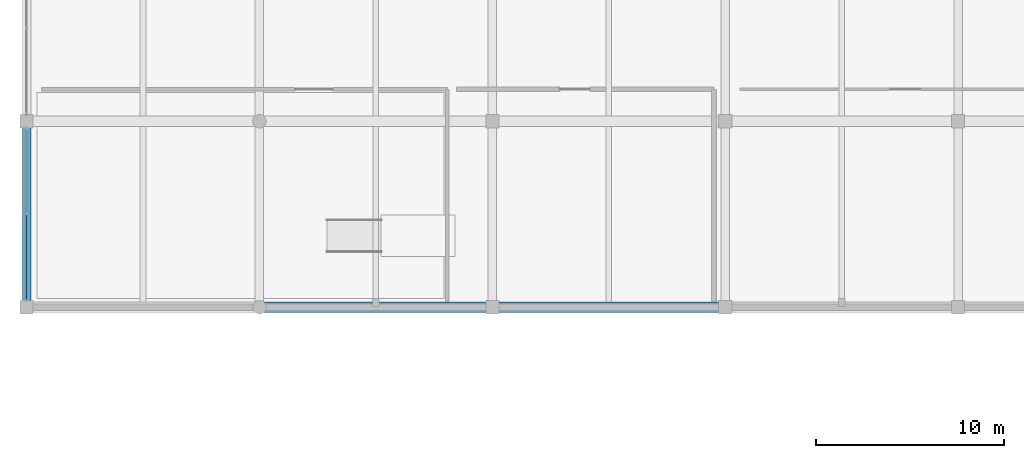
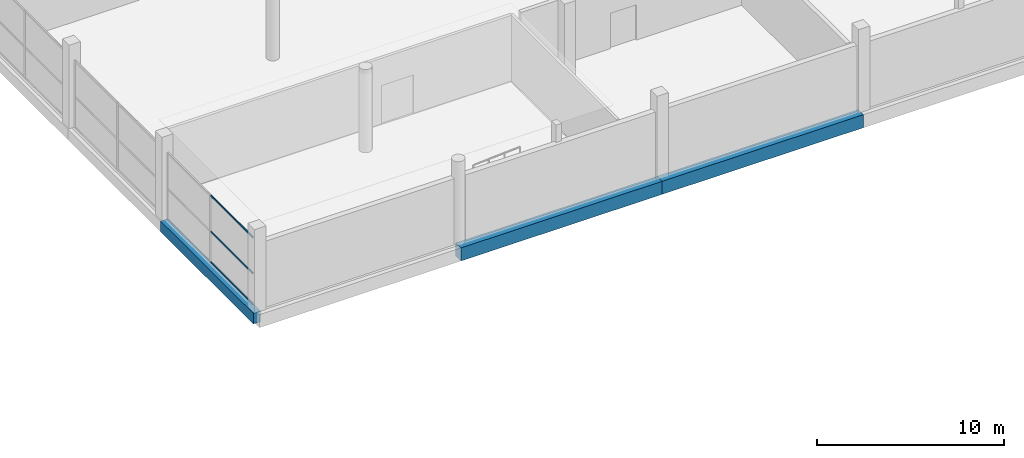
# One storey, part 13 of 72: 3 beams, 3 members, 1 element without a shape of its own.
"""IFC4 building model written with IfcOpenShell, lengths in metres."""

from ifc_helpers import new_model, si_unit, direction, frame, origin, origin_2d, place, context, subcontext, project, spatial, rectangle, hollow_rectangle, extrude, material, layer, layer_set, material_profile, profile_set, type_object, element, aggregate, save


model = new_model("IFC4")

# Units and contexts
model_context = context("Model", 3, precision=1e-05, world=origin(), true_north=direction((0.0, 1.0)))
body_context = subcontext(model_context, "Body", "Model", "MODEL_VIEW")
ifc_project = project(units=[si_unit("LENGTHUNIT", "METRE"), si_unit("AREAUNIT", "SQUARE_METRE"), si_unit("VOLUMEUNIT", "CUBIC_METRE"), si_unit("PLANEANGLEUNIT", "RADIAN"), si_unit("MASSUNIT", "GRAM", prefix="KILO")], contexts=[model_context])

# Site, building, storey
site_placement = place(None, origin())
site = spatial("IfcSite", under=ifc_project, at=site_placement, CompositionType="ELEMENT")
building_placement = place(site_placement, origin())
building = spatial("IfcBuilding", under=site, at=building_placement, Name="Sillaruma Civic Art Gallery", CompositionType="ELEMENT")
storey_placement = place(building_placement, frame((0.0, 0.0, 10.8798828125)))
storey = spatial("IfcBuildingStorey", under=building, at=storey_placement, Name="L02", CompositionType="ELEMENT", Elevation=10.8798828125)

# Beams
ifc_material_1 = material(Name="Concrete H40 (40 MPa)", Category="concrete")
ifc_material_profile_1 = material_profile(ifc_material_1, rectangle(XDim=0.550048828125, YDim=0.85009765625, at=origin_2d()), Name="RCB550x850")
ifc_profile_set_1 = profile_set([ifc_material_profile_1], Name="Concrete H40 (40 MPa)")
beam_type_1 = type_object("IfcBeamType", Name="BM-BEAM-RCB550x850", PredefinedType="BEAM", material=ifc_profile_set_1)
beam_1_placement = place(storey_placement, frame((12.39990234375, 79.199951171875, -0.684814453125), z_axis=(1.0, 0.0, 0.0), x_axis=(0.0, 1.0, 0.0)))
element("IfcBeam", 1, at=beam_1_placement, inside=storey, type_object=beam_type_1, Name="Beam BM-01 (L01:9:B-C)", PredefinedType="BEAM", context=body_context, shape_type="SweptSolid", body=[
    extrude(rectangle(XDim=0.550048828125, YDim=0.85009765625, at=origin_2d()), origin(), (0.0, 0.0, 1.0), 12.400146484375),
])
beam_2_placement = place(storey_placement, frame((24.800048828125, 79.199951171875, -0.684814453125), z_axis=(1.0, 0.0, 0.0), x_axis=(0.0, 1.0, 0.0)))
element("IfcBeam", 2, at=beam_2_placement, inside=storey, type_object=beam_type_1, Name="Beam BM-01 (L01:9:C-D)", PredefinedType="BEAM", context=body_context, shape_type="SweptSolid", body=[
    extrude(rectangle(XDim=0.550048828125, YDim=0.85009765625, at=origin_2d()), origin(), (0.0, 0.0, 1.0), 12.39990234375),
])
ifc_material_2 = material(Name="Concrete H35 (35 MPa)", Category="concrete")
ifc_material_profile_2 = material_profile(ifc_material_2, rectangle(XDim=0.449951171875, YDim=0.699951171875, at=origin_2d()), Name="RCB450x700")
ifc_profile_set_2 = profile_set([ifc_material_profile_2], Name="Concrete H35 (35 MPa)")
beam_type_2 = type_object("IfcBeamType", Name="BM-SPANDREL-RCB450x700", PredefinedType="SPANDREL", material=ifc_profile_set_2)
beam_3_placement = place(storey_placement, frame((0.0, 79.199951171875, -0.60986328125), z_axis=(0.0, 1.0, 0.0), x_axis=(-1.0, 0.0, 0.0)))
element("IfcBeam", 3, at=beam_3_placement, inside=storey, type_object=beam_type_2, Name="Beam BS-03 (L01:A:9-10)", PredefinedType="SPANDREL", context=body_context, shape_type="SweptSolid", body=[
    extrude(rectangle(XDim=0.449951171875, YDim=0.699951171875, at=origin_2d()), origin(), (0.0, 0.0, 1.0), 9.900146484375),
])

# Curtain wall, members
ifc_material_3 = material(Name="Thermally Broken Extruded Aluminium 6063-T6", Category="aluminium")
ifc_layer = layer(ifc_material_3, 0.139892578125, Name="Thermally Broken Extruded Aluminium 6063-T6")
ifc_layer_set = layer_set([ifc_layer], Name="Thermally Broken Extruded Aluminium 6063-T6")
curtain_wall_type = type_object("IfcCurtainWallType", Name="CW-UNI-08", PredefinedType="NOTDEFINED", material=ifc_layer_set)
curtain_wall_placement = place(storey_placement, origin())
curtain_wall = element("IfcCurtainWall", 4, at=curtain_wall_placement, inside=storey, type_object=curtain_wall_type, Name="Unitised Curtain Wall CW-08 (CW-L02-WSTR-1)", PredefinedType="NOTDEFINED")
ifc_material_profile_3 = material_profile(ifc_material_3, hollow_rectangle(XDim=0.06005859375, YDim=0.10009765625, WallThickness=0.003173828125, at=origin_2d()), Name="CWT60x100")
ifc_profile_set_3 = profile_set([ifc_material_profile_3], Name="Thermally Broken Extruded Aluminium 6063-T6")
member_type = type_object("IfcMemberType", Name="MEM-TRN-CWT60x100", PredefinedType="USERDEFINED", material=ifc_profile_set_3)
member_1_placement = place(storey_placement, frame((0.0, 79.610107421875, 0.030029296875), z_axis=(0.0, 1.0, 0.0), x_axis=(-1.0, 0.0, 0.0)))
member_1 = element("IfcMember", 5, at=member_1_placement, type_object=member_type, Name="CW-08 transom 1.1", ObjectType="TRANSOM", PredefinedType="USERDEFINED", context=body_context, shape_type="SweptSolid", body=[
    extrude(hollow_rectangle(XDim=0.06005859375, YDim=0.10009765625, WallThickness=0.003173828125, at=origin_2d()), origin(), (0.0, 0.0, 1.0), 4.510009765625),
])
member_2_placement = place(storey_placement, frame((0.0, 79.610107421875, 2.014892578125), z_axis=(0.0, 1.0, 0.0), x_axis=(-1.0, 0.0, 0.0)))
member_2 = element("IfcMember", 6, at=member_2_placement, type_object=member_type, Name="CW-08 transom 1.2", ObjectType="TRANSOM", PredefinedType="USERDEFINED", context=body_context, shape_type="SweptSolid", body=[
    extrude(hollow_rectangle(XDim=0.06005859375, YDim=0.10009765625, WallThickness=0.003173828125, at=origin_2d()), origin(), (0.0, 0.0, 1.0), 4.510009765625),
])
member_3_placement = place(storey_placement, frame((0.0, 79.610107421875, 4.35009765625), z_axis=(0.0, 1.0, 0.0), x_axis=(-1.0, 0.0, 0.0)))
member_3 = element("IfcMember", 7, at=member_3_placement, type_object=member_type, Name="CW-08 transom 1.3", ObjectType="TRANSOM", PredefinedType="USERDEFINED", context=body_context, shape_type="SweptSolid", body=[
    extrude(hollow_rectangle(XDim=0.06005859375, YDim=0.10009765625, WallThickness=0.003173828125, at=origin_2d()), origin(), (0.0, 0.0, 1.0), 4.510009765625),
])
aggregate(curtain_wall, [member_1, member_2, member_3])

save(model, "model.ifc")
